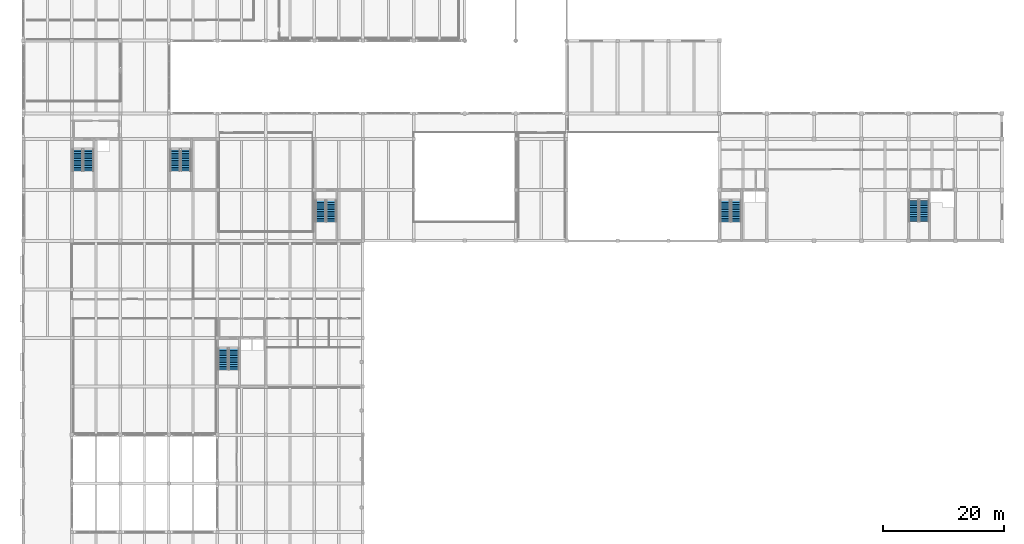
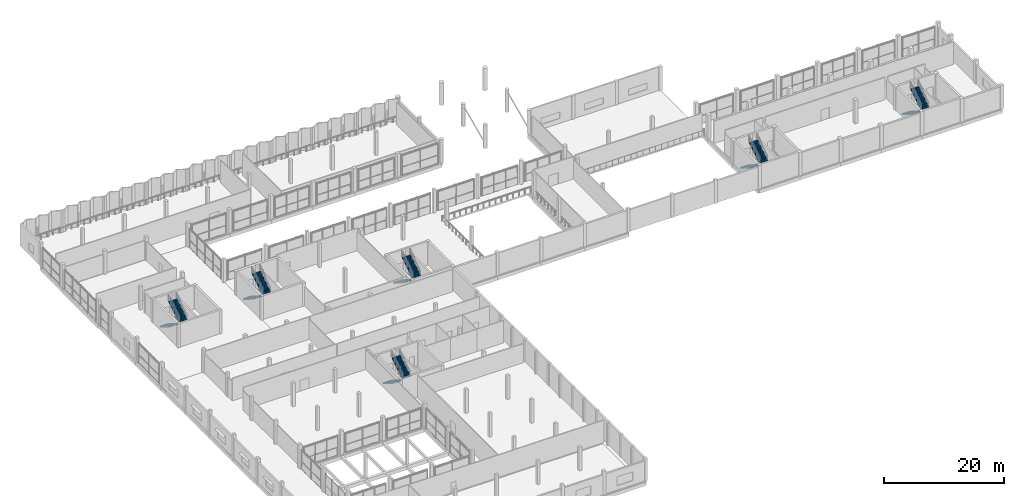
# One storey, part 40 of 47: 12 stair flights, 6 elements without a shape of their own.
"""IFC4 building model written with IfcOpenShell, lengths in metres."""

from ifc_helpers import new_model, si_unit, direction, frame, origin, place, context, subcontext, project, spatial, polyline, outline, extrude, material, type_object, element, aggregate, save


model = new_model("IFC4")

# Units and contexts
model_context = context("Model", 3, precision=1e-05, world=origin(), true_north=direction((0.0, 1.0)))
body_context = subcontext(model_context, "Body", "Model", "MODEL_VIEW")
ifc_project = project(units=[si_unit("LENGTHUNIT", "METRE"), si_unit("AREAUNIT", "SQUARE_METRE"), si_unit("VOLUMEUNIT", "CUBIC_METRE"), si_unit("PLANEANGLEUNIT", "RADIAN"), si_unit("MASSUNIT", "GRAM", prefix="KILO")], contexts=[model_context])

# Site, building, storey
site_placement = place(None, origin())
site = spatial("IfcSite", under=ifc_project, at=site_placement, CompositionType="ELEMENT")
building_placement = place(site_placement, origin())
building = spatial("IfcBuilding", under=site, at=building_placement, Name="Vharandega Faculty of Natural Sciences", CompositionType="ELEMENT")
storey_placement = place(building_placement, frame((0.0, 0.0, 5.39990234375)))
storey = spatial("IfcBuildingStorey", under=building, at=storey_placement, Name="L01", CompositionType="ELEMENT", Elevation=5.39990234375)

# Stair, stair flights
ifc_material_1 = material(Name="Concrete C40/50", Category="concrete")
stair_type_1 = type_object("IfcStairType", Name="Escape Dog-Leg Stair W160 H480", PredefinedType="HALF_TURN_STAIR", material=ifc_material_1)
stair_1_placement = place(storey_placement, origin())
stair_1 = element("IfcStair", 1, at=stair_1_placement, inside=storey, type_object=stair_type_1, Name="L01 Escape Stair ST2", PredefinedType="HALF_TURN_STAIR")
ifc_material_2 = material(Name="Concrete C40/50", Category="concrete")
stair_flight_type_1 = type_object("IfcStairFlightType", Name="Precast Stair Flight W160 H480", PredefinedType="STRAIGHT", material=ifc_material_2)
stair_flight_1_placement = place(storey_placement, frame((146.860107421875, 70.659912109375, 0.0), z_axis=(0.0, 0.0, 1.0), x_axis=(0.0, -1.0, 0.0)))
stair_flight_1 = element("IfcStairFlight", 2, at=stair_flight_1_placement, type_object=stair_flight_type_1, Name="ST2 flight 1", NumberOfRisers=13, NumberOfTreads=12, PredefinedType="STRAIGHT", RiserHeight=0.184615385, TreadLength=0.29, context=body_context, shape_type="SweptSolid", body=[
    extrude(outline(polyline([(0.0, 0.0), (0.0, 0.1845703125), (0.2900390625, 0.1845703125), (0.2900390625, 0.369140625), (0.580078125, 0.369140625), (0.580078125, 0.553955078125), (0.8701171875, 0.553955078125), (0.8701171875, 0.738525390625), (1.159912109375, 0.738525390625), (1.159912109375, 0.923095703125), (1.449951171875, 0.923095703125), (1.449951171875, 1.107666015625), (1.739990234375, 1.107666015625), (1.739990234375, 1.292236328125), (2.030029296875, 1.292236328125), (2.030029296875, 1.476806640625), (2.320068359375, 1.476806640625), (2.320068359375, 1.66162109375), (2.610107421875, 1.66162109375), (2.610107421875, 1.84619140625), (2.89990234375, 1.84619140625), (2.89990234375, 2.03076171875), (3.18994140625, 2.03076171875), (3.18994140625, 2.21533203125), (3.47998046875, 2.21533203125), (3.47998046875, 2.39990234375), (3.47998046875, 2.03759765625), (0.279052734375, 0.0), (0.0, 0.0)])), frame((0.0, 0.800048828125, 0.0), z_axis=(0.0, -1.0, 0.0), x_axis=(1.0, 0.0, 0.0)), (0.0, 0.0, 1.0), 1.60009765625),
])
stair_flight_2_placement = place(storey_placement, frame((148.580078125, 67.179931640625, 2.400146484375), z_axis=(0.0, 0.0, 1.0), x_axis=(0.0, 1.0, 0.0)))
stair_flight_2 = element("IfcStairFlight", 3, at=stair_flight_2_placement, type_object=stair_flight_type_1, Name="ST2 flight 2", NumberOfRisers=13, NumberOfTreads=12, PredefinedType="STRAIGHT", RiserHeight=0.184615385, TreadLength=0.29, context=body_context, shape_type="SweptSolid", body=[
    extrude(outline(polyline([(0.0, 0.0), (0.0, 0.1845703125), (0.2900390625, 0.1845703125), (0.2900390625, 0.369140625), (0.580078125, 0.369140625), (0.580078125, 0.553955078125), (0.8701171875, 0.553955078125), (0.8701171875, 0.738525390625), (1.159912109375, 0.738525390625), (1.159912109375, 0.923095703125), (1.449951171875, 0.923095703125), (1.449951171875, 1.107666015625), (1.739990234375, 1.107666015625), (1.739990234375, 1.292236328125), (2.030029296875, 1.292236328125), (2.030029296875, 1.476806640625), (2.320068359375, 1.476806640625), (2.320068359375, 1.66162109375), (2.610107421875, 1.66162109375), (2.610107421875, 1.84619140625), (2.89990234375, 1.84619140625), (2.89990234375, 2.03076171875), (3.18994140625, 2.03076171875), (3.18994140625, 2.21533203125), (3.47998046875, 2.21533203125), (3.47998046875, 2.39990234375), (3.47998046875, 2.03759765625), (0.279052734375, 0.0), (0.0, 0.0)])), frame((0.0, 0.800048828125, 0.0), z_axis=(0.0, -1.0, 0.0), x_axis=(1.0, 0.0, 0.0)), (0.0, 0.0, 1.0), 1.60009765625),
])
aggregate(stair_1, [stair_flight_1, stair_flight_2])

ifc_material_3 = material(Name="Concrete C40/50", Category="concrete")
stair_type_2 = type_object("IfcStairType", Name="Escape Dog-Leg Stair W165 H480", PredefinedType="HALF_TURN_STAIR", material=ifc_material_3)
stair_2_placement = place(storey_placement, origin())
stair_2 = element("IfcStair", 4, at=stair_2_placement, inside=storey, type_object=stair_type_2, Name="L01 Escape Stair ST1", PredefinedType="HALF_TURN_STAIR")
ifc_material_4 = material(Name="Concrete C40/50", Category="concrete")
stair_flight_type_2 = type_object("IfcStairFlightType", Name="Precast Stair Flight W165 H480", PredefinedType="STRAIGHT", material=ifc_material_4)
stair_flight_3_placement = place(storey_placement, frame((115.764892578125, 70.610107421875, 0.0), z_axis=(0.0, 0.0, 1.0), x_axis=(0.0, -1.0, 0.0)))
stair_flight_3 = element("IfcStairFlight", 5, at=stair_flight_3_placement, type_object=stair_flight_type_2, Name="ST1 flight 1", NumberOfRisers=13, NumberOfTreads=12, PredefinedType="STRAIGHT", RiserHeight=0.184615385, TreadLength=0.29, context=body_context, shape_type="SweptSolid", body=[
    extrude(outline(polyline([(0.0, 0.0), (0.0, 0.1845703125), (0.2900390625, 0.1845703125), (0.2900390625, 0.369140625), (0.580078125, 0.369140625), (0.580078125, 0.553955078125), (0.8701171875, 0.553955078125), (0.8701171875, 0.738525390625), (1.159912109375, 0.738525390625), (1.159912109375, 0.923095703125), (1.449951171875, 0.923095703125), (1.449951171875, 1.107666015625), (1.739990234375, 1.107666015625), (1.739990234375, 1.292236328125), (2.030029296875, 1.292236328125), (2.030029296875, 1.476806640625), (2.320068359375, 1.476806640625), (2.320068359375, 1.66162109375), (2.610107421875, 1.66162109375), (2.610107421875, 1.84619140625), (2.89990234375, 1.84619140625), (2.89990234375, 2.03076171875), (3.18994140625, 2.03076171875), (3.18994140625, 2.21533203125), (3.47998046875, 2.21533203125), (3.47998046875, 2.39990234375), (3.47998046875, 2.03759765625), (0.279052734375, 0.0), (0.0, 0.0)])), frame((0.0, 0.824951171875, 0.0), z_axis=(0.0, -1.0, 0.0), x_axis=(1.0, 0.0, 0.0)), (0.0, 0.0, 1.0), 1.64990234375),
])
stair_flight_4_placement = place(storey_placement, frame((117.534912109375, 67.1298828125, 2.400146484375), z_axis=(0.0, 0.0, 1.0), x_axis=(0.0, 1.0, 0.0)))
stair_flight_4 = element("IfcStairFlight", 6, at=stair_flight_4_placement, type_object=stair_flight_type_2, Name="ST1 flight 2", NumberOfRisers=13, NumberOfTreads=12, PredefinedType="STRAIGHT", RiserHeight=0.184615385, TreadLength=0.29, context=body_context, shape_type="SweptSolid", body=[
    extrude(outline(polyline([(0.0, 0.0), (0.0, 0.1845703125), (0.2900390625, 0.1845703125), (0.2900390625, 0.369140625), (0.580078125, 0.369140625), (0.580078125, 0.553955078125), (0.8701171875, 0.553955078125), (0.8701171875, 0.738525390625), (1.159912109375, 0.738525390625), (1.159912109375, 0.923095703125), (1.449951171875, 0.923095703125), (1.449951171875, 1.107666015625), (1.739990234375, 1.107666015625), (1.739990234375, 1.292236328125), (2.030029296875, 1.292236328125), (2.030029296875, 1.476806640625), (2.320068359375, 1.476806640625), (2.320068359375, 1.66162109375), (2.610107421875, 1.66162109375), (2.610107421875, 1.84619140625), (2.89990234375, 1.84619140625), (2.89990234375, 2.03076171875), (3.18994140625, 2.03076171875), (3.18994140625, 2.21533203125), (3.47998046875, 2.21533203125), (3.47998046875, 2.39990234375), (3.47998046875, 2.03759765625), (0.279052734375, 0.0), (0.0, 0.0)])), frame((0.0, 0.824951171875, 0.0), z_axis=(0.0, -1.0, 0.0), x_axis=(1.0, 0.0, 0.0)), (0.0, 0.0, 1.0), 1.64990234375),
])
aggregate(stair_2, [stair_flight_3, stair_flight_4])

stair_3_placement = place(storey_placement, origin())
stair_3 = element("IfcStair", 7, at=stair_3_placement, inside=storey, type_object=stair_type_2, Name="L01 Escape Stair ST3", PredefinedType="HALF_TURN_STAIR")
stair_flight_5_placement = place(storey_placement, frame((32.965087890625, 46.2099609375, 0.0), z_axis=(0.0, 0.0, 1.0), x_axis=(0.0, -1.0, 0.0)))
stair_flight_5 = element("IfcStairFlight", 8, at=stair_flight_5_placement, type_object=stair_flight_type_2, Name="ST3 flight 1", NumberOfRisers=13, NumberOfTreads=12, PredefinedType="STRAIGHT", RiserHeight=0.184615385, TreadLength=0.29, context=body_context, shape_type="SweptSolid", body=[
    extrude(outline(polyline([(0.0, 0.0), (0.0, 0.1845703125), (0.2900390625, 0.1845703125), (0.2900390625, 0.369140625), (0.580078125, 0.369140625), (0.580078125, 0.553955078125), (0.8701171875, 0.553955078125), (0.8701171875, 0.738525390625), (1.159912109375, 0.738525390625), (1.159912109375, 0.923095703125), (1.449951171875, 0.923095703125), (1.449951171875, 1.107666015625), (1.739990234375, 1.107666015625), (1.739990234375, 1.292236328125), (2.030029296875, 1.292236328125), (2.030029296875, 1.476806640625), (2.320068359375, 1.476806640625), (2.320068359375, 1.66162109375), (2.610107421875, 1.66162109375), (2.610107421875, 1.84619140625), (2.89990234375, 1.84619140625), (2.89990234375, 2.03076171875), (3.18994140625, 2.03076171875), (3.18994140625, 2.21533203125), (3.47998046875, 2.21533203125), (3.47998046875, 2.39990234375), (3.47998046875, 2.03759765625), (0.279052734375, 0.0), (0.0, 0.0)])), frame((0.0, 0.824951171875, 0.0), z_axis=(0.0, -1.0, 0.0), x_axis=(1.0, 0.0, 0.0)), (0.0, 0.0, 1.0), 1.64990234375),
])
stair_flight_6_placement = place(storey_placement, frame((34.735107421875, 42.72998046875, 2.400146484375), z_axis=(0.0, 0.0, 1.0), x_axis=(0.0, 1.0, 0.0)))
stair_flight_6 = element("IfcStairFlight", 9, at=stair_flight_6_placement, type_object=stair_flight_type_2, Name="ST3 flight 2", NumberOfRisers=13, NumberOfTreads=12, PredefinedType="STRAIGHT", RiserHeight=0.184615385, TreadLength=0.29, context=body_context, shape_type="SweptSolid", body=[
    extrude(outline(polyline([(0.0, 0.0), (0.0, 0.1845703125), (0.2900390625, 0.1845703125), (0.2900390625, 0.369140625), (0.580078125, 0.369140625), (0.580078125, 0.553955078125), (0.8701171875, 0.553955078125), (0.8701171875, 0.738525390625), (1.159912109375, 0.738525390625), (1.159912109375, 0.923095703125), (1.449951171875, 0.923095703125), (1.449951171875, 1.107666015625), (1.739990234375, 1.107666015625), (1.739990234375, 1.292236328125), (2.030029296875, 1.292236328125), (2.030029296875, 1.476806640625), (2.320068359375, 1.476806640625), (2.320068359375, 1.66162109375), (2.610107421875, 1.66162109375), (2.610107421875, 1.84619140625), (2.89990234375, 1.84619140625), (2.89990234375, 2.03076171875), (3.18994140625, 2.03076171875), (3.18994140625, 2.21533203125), (3.47998046875, 2.21533203125), (3.47998046875, 2.39990234375), (3.47998046875, 2.03759765625), (0.279052734375, 0.0), (0.0, 0.0)])), frame((0.0, 0.824951171875, 0.0), z_axis=(0.0, -1.0, 0.0), x_axis=(1.0, 0.0, 0.0)), (0.0, 0.0, 1.0), 1.64990234375),
])
aggregate(stair_3, [stair_flight_5, stair_flight_6])

stair_4_placement = place(storey_placement, origin())
stair_4 = element("IfcStair", 10, at=stair_4_placement, inside=storey, type_object=stair_type_2, Name="L01 Escape Stair ST4", PredefinedType="HALF_TURN_STAIR")
stair_flight_7_placement = place(storey_placement, frame((8.965087890625, 79.010009765625, 0.0), z_axis=(0.0, 0.0, 1.0), x_axis=(0.0, -1.0, 0.0)))
stair_flight_7 = element("IfcStairFlight", 11, at=stair_flight_7_placement, type_object=stair_flight_type_2, Name="ST4 flight 1", NumberOfRisers=13, NumberOfTreads=12, PredefinedType="STRAIGHT", RiserHeight=0.184615385, TreadLength=0.29, context=body_context, shape_type="SweptSolid", body=[
    extrude(outline(polyline([(0.0, 0.0), (0.0, 0.1845703125), (0.2900390625, 0.1845703125), (0.2900390625, 0.369140625), (0.580078125, 0.369140625), (0.580078125, 0.553955078125), (0.8701171875, 0.553955078125), (0.8701171875, 0.738525390625), (1.159912109375, 0.738525390625), (1.159912109375, 0.923095703125), (1.449951171875, 0.923095703125), (1.449951171875, 1.107666015625), (1.739990234375, 1.107666015625), (1.739990234375, 1.292236328125), (2.030029296875, 1.292236328125), (2.030029296875, 1.476806640625), (2.320068359375, 1.476806640625), (2.320068359375, 1.66162109375), (2.610107421875, 1.66162109375), (2.610107421875, 1.84619140625), (2.89990234375, 1.84619140625), (2.89990234375, 2.03076171875), (3.18994140625, 2.03076171875), (3.18994140625, 2.21533203125), (3.47998046875, 2.21533203125), (3.47998046875, 2.39990234375), (3.47998046875, 2.03759765625), (0.279052734375, 0.0), (0.0, 0.0)])), frame((0.0, 0.824951171875, 0.0), z_axis=(0.0, -1.0, 0.0), x_axis=(1.0, 0.0, 0.0)), (0.0, 0.0, 1.0), 1.64990234375),
])
stair_flight_8_placement = place(storey_placement, frame((10.735107421875, 75.530029296875, 2.400146484375), z_axis=(0.0, 0.0, 1.0), x_axis=(0.0, 1.0, 0.0)))
stair_flight_8 = element("IfcStairFlight", 12, at=stair_flight_8_placement, type_object=stair_flight_type_2, Name="ST4 flight 2", NumberOfRisers=13, NumberOfTreads=12, PredefinedType="STRAIGHT", RiserHeight=0.184615385, TreadLength=0.29, context=body_context, shape_type="SweptSolid", body=[
    extrude(outline(polyline([(0.0, 0.0), (0.0, 0.1845703125), (0.2900390625, 0.1845703125), (0.2900390625, 0.369140625), (0.580078125, 0.369140625), (0.580078125, 0.553955078125), (0.8701171875, 0.553955078125), (0.8701171875, 0.738525390625), (1.159912109375, 0.738525390625), (1.159912109375, 0.923095703125), (1.449951171875, 0.923095703125), (1.449951171875, 1.107666015625), (1.739990234375, 1.107666015625), (1.739990234375, 1.292236328125), (2.030029296875, 1.292236328125), (2.030029296875, 1.476806640625), (2.320068359375, 1.476806640625), (2.320068359375, 1.66162109375), (2.610107421875, 1.66162109375), (2.610107421875, 1.84619140625), (2.89990234375, 1.84619140625), (2.89990234375, 2.03076171875), (3.18994140625, 2.03076171875), (3.18994140625, 2.21533203125), (3.47998046875, 2.21533203125), (3.47998046875, 2.39990234375), (3.47998046875, 2.03759765625), (0.279052734375, 0.0), (0.0, 0.0)])), frame((0.0, 0.824951171875, 0.0), z_axis=(0.0, -1.0, 0.0), x_axis=(1.0, 0.0, 0.0)), (0.0, 0.0, 1.0), 1.64990234375),
])
aggregate(stair_4, [stair_flight_7, stair_flight_8])

stair_5_placement = place(storey_placement, origin())
stair_5 = element("IfcStair", 13, at=stair_5_placement, inside=storey, type_object=stair_type_2, Name="L01 Escape Stair ST5", PredefinedType="HALF_TURN_STAIR")
stair_flight_9_placement = place(storey_placement, frame((49.02490234375, 70.610107421875, 0.0), z_axis=(0.0, 0.0, 1.0), x_axis=(0.0, -1.0, 0.0)))
stair_flight_9 = element("IfcStairFlight", 14, at=stair_flight_9_placement, type_object=stair_flight_type_2, Name="ST5 flight 1", NumberOfRisers=13, NumberOfTreads=12, PredefinedType="STRAIGHT", RiserHeight=0.184615385, TreadLength=0.29, context=body_context, shape_type="SweptSolid", body=[
    extrude(outline(polyline([(0.0, 0.0), (0.0, 0.1845703125), (0.2900390625, 0.1845703125), (0.2900390625, 0.369140625), (0.580078125, 0.369140625), (0.580078125, 0.553955078125), (0.8701171875, 0.553955078125), (0.8701171875, 0.738525390625), (1.159912109375, 0.738525390625), (1.159912109375, 0.923095703125), (1.449951171875, 0.923095703125), (1.449951171875, 1.107666015625), (1.739990234375, 1.107666015625), (1.739990234375, 1.292236328125), (2.030029296875, 1.292236328125), (2.030029296875, 1.476806640625), (2.320068359375, 1.476806640625), (2.320068359375, 1.66162109375), (2.610107421875, 1.66162109375), (2.610107421875, 1.84619140625), (2.89990234375, 1.84619140625), (2.89990234375, 2.03076171875), (3.18994140625, 2.03076171875), (3.18994140625, 2.21533203125), (3.47998046875, 2.21533203125), (3.47998046875, 2.39990234375), (3.47998046875, 2.03759765625), (0.279052734375, 0.0), (0.0, 0.0)])), frame((0.0, 0.824951171875, 0.0), z_axis=(0.0, -1.0, 0.0), x_axis=(1.0, 0.0, 0.0)), (0.0, 0.0, 1.0), 1.64990234375),
])
stair_flight_10_placement = place(storey_placement, frame((50.794921875, 67.1298828125, 2.400146484375), z_axis=(0.0, 0.0, 1.0), x_axis=(0.0, 1.0, 0.0)))
stair_flight_10 = element("IfcStairFlight", 15, at=stair_flight_10_placement, type_object=stair_flight_type_2, Name="ST5 flight 2", NumberOfRisers=13, NumberOfTreads=12, PredefinedType="STRAIGHT", RiserHeight=0.184615385, TreadLength=0.29, context=body_context, shape_type="SweptSolid", body=[
    extrude(outline(polyline([(0.0, 0.0), (0.0, 0.1845703125), (0.2900390625, 0.1845703125), (0.2900390625, 0.369140625), (0.580078125, 0.369140625), (0.580078125, 0.553955078125), (0.8701171875, 0.553955078125), (0.8701171875, 0.738525390625), (1.159912109375, 0.738525390625), (1.159912109375, 0.923095703125), (1.449951171875, 0.923095703125), (1.449951171875, 1.107666015625), (1.739990234375, 1.107666015625), (1.739990234375, 1.292236328125), (2.030029296875, 1.292236328125), (2.030029296875, 1.476806640625), (2.320068359375, 1.476806640625), (2.320068359375, 1.66162109375), (2.610107421875, 1.66162109375), (2.610107421875, 1.84619140625), (2.89990234375, 1.84619140625), (2.89990234375, 2.03076171875), (3.18994140625, 2.03076171875), (3.18994140625, 2.21533203125), (3.47998046875, 2.21533203125), (3.47998046875, 2.39990234375), (3.47998046875, 2.03759765625), (0.279052734375, 0.0), (0.0, 0.0)])), frame((0.0, 0.824951171875, 0.0), z_axis=(0.0, -1.0, 0.0), x_axis=(1.0, 0.0, 0.0)), (0.0, 0.0, 1.0), 1.64990234375),
])
aggregate(stair_5, [stair_flight_9, stair_flight_10])

stair_6_placement = place(storey_placement, origin())
stair_6 = element("IfcStair", 16, at=stair_6_placement, inside=storey, type_object=stair_type_2, Name="L01 Escape Stair ST6", PredefinedType="HALF_TURN_STAIR")
stair_flight_11_placement = place(storey_placement, frame((25.02490234375, 79.010009765625, 0.0), z_axis=(0.0, 0.0, 1.0), x_axis=(0.0, -1.0, 0.0)))
stair_flight_11 = element("IfcStairFlight", 17, at=stair_flight_11_placement, type_object=stair_flight_type_2, Name="ST6 flight 1", NumberOfRisers=13, NumberOfTreads=12, PredefinedType="STRAIGHT", RiserHeight=0.184615385, TreadLength=0.29, context=body_context, shape_type="SweptSolid", body=[
    extrude(outline(polyline([(0.0, 0.0), (0.0, 0.1845703125), (0.2900390625, 0.1845703125), (0.2900390625, 0.369140625), (0.580078125, 0.369140625), (0.580078125, 0.553955078125), (0.8701171875, 0.553955078125), (0.8701171875, 0.738525390625), (1.159912109375, 0.738525390625), (1.159912109375, 0.923095703125), (1.449951171875, 0.923095703125), (1.449951171875, 1.107666015625), (1.739990234375, 1.107666015625), (1.739990234375, 1.292236328125), (2.030029296875, 1.292236328125), (2.030029296875, 1.476806640625), (2.320068359375, 1.476806640625), (2.320068359375, 1.66162109375), (2.610107421875, 1.66162109375), (2.610107421875, 1.84619140625), (2.89990234375, 1.84619140625), (2.89990234375, 2.03076171875), (3.18994140625, 2.03076171875), (3.18994140625, 2.21533203125), (3.47998046875, 2.21533203125), (3.47998046875, 2.39990234375), (3.47998046875, 2.03759765625), (0.279052734375, 0.0), (0.0, 0.0)])), frame((0.0, 0.824951171875, 0.0), z_axis=(0.0, -1.0, 0.0), x_axis=(1.0, 0.0, 0.0)), (0.0, 0.0, 1.0), 1.64990234375),
])
stair_flight_12_placement = place(storey_placement, frame((26.794921875, 75.530029296875, 2.400146484375), z_axis=(0.0, 0.0, 1.0), x_axis=(0.0, 1.0, 0.0)))
stair_flight_12 = element("IfcStairFlight", 18, at=stair_flight_12_placement, type_object=stair_flight_type_2, Name="ST6 flight 2", NumberOfRisers=13, NumberOfTreads=12, PredefinedType="STRAIGHT", RiserHeight=0.184615385, TreadLength=0.29, context=body_context, shape_type="SweptSolid", body=[
    extrude(outline(polyline([(0.0, 0.0), (0.0, 0.1845703125), (0.2900390625, 0.1845703125), (0.2900390625, 0.369140625), (0.580078125, 0.369140625), (0.580078125, 0.553955078125), (0.8701171875, 0.553955078125), (0.8701171875, 0.738525390625), (1.159912109375, 0.738525390625), (1.159912109375, 0.923095703125), (1.449951171875, 0.923095703125), (1.449951171875, 1.107666015625), (1.739990234375, 1.107666015625), (1.739990234375, 1.292236328125), (2.030029296875, 1.292236328125), (2.030029296875, 1.476806640625), (2.320068359375, 1.476806640625), (2.320068359375, 1.66162109375), (2.610107421875, 1.66162109375), (2.610107421875, 1.84619140625), (2.89990234375, 1.84619140625), (2.89990234375, 2.03076171875), (3.18994140625, 2.03076171875), (3.18994140625, 2.21533203125), (3.47998046875, 2.21533203125), (3.47998046875, 2.39990234375), (3.47998046875, 2.03759765625), (0.279052734375, 0.0), (0.0, 0.0)])), frame((0.0, 0.824951171875, 0.0), z_axis=(0.0, -1.0, 0.0), x_axis=(1.0, 0.0, 0.0)), (0.0, 0.0, 1.0), 1.64990234375),
])
aggregate(stair_6, [stair_flight_11, stair_flight_12])

save(model, "model.ifc")
